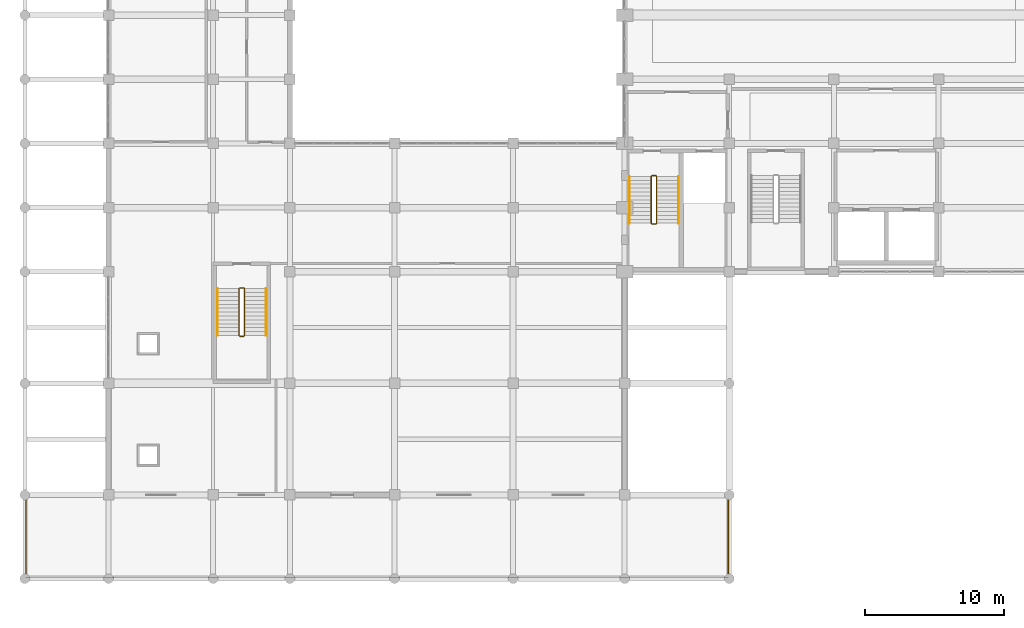
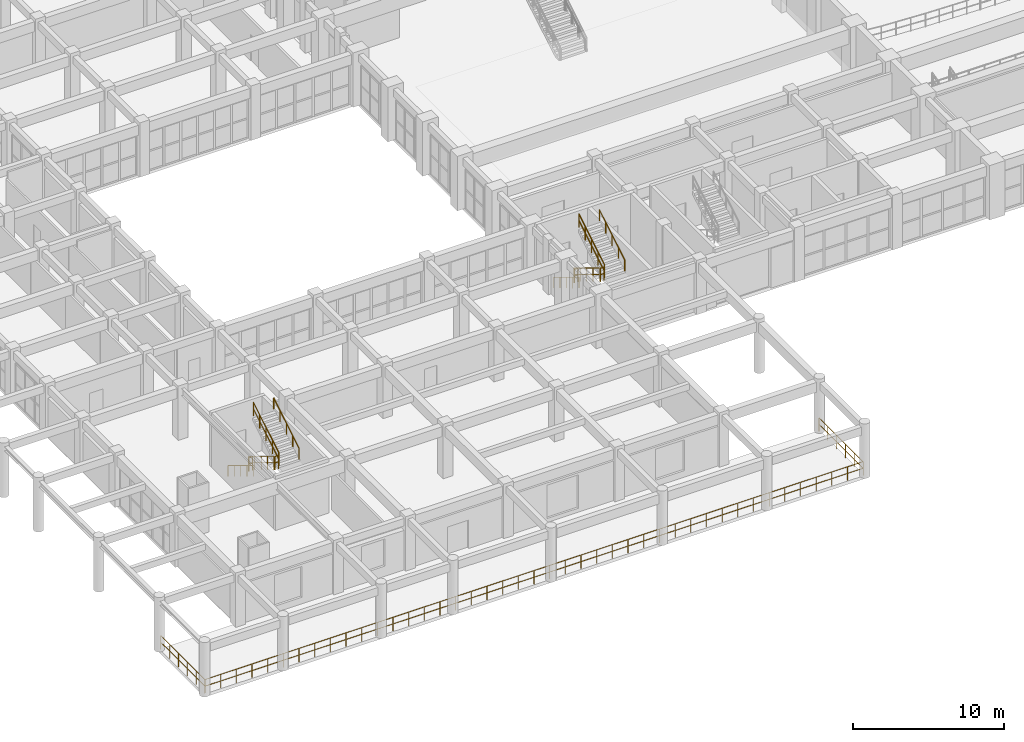
# One storey, part 106 of 116: 15 railings.
"""IFC4 building model written with IfcOpenShell, lengths in metres."""

from ifc_helpers import new_model, si_unit, direction, frame, origin, origin_2d, place, context, subcontext, project, spatial, circle, extrude, material, type_object, element, save


model = new_model("IFC4")

# Units and contexts
model_context = context("Model", 3, precision=1e-05, world=origin(), true_north=direction((0.0, 1.0)))
body_context = subcontext(model_context, "Body", "Model", "MODEL_VIEW")
ifc_project = project(units=[si_unit("LENGTHUNIT", "METRE"), si_unit("AREAUNIT", "SQUARE_METRE"), si_unit("VOLUMEUNIT", "CUBIC_METRE"), si_unit("PLANEANGLEUNIT", "RADIAN"), si_unit("MASSUNIT", "GRAM", prefix="KILO")], contexts=[model_context])

# Site, building, storey
site_placement = place(None, origin())
site = spatial("IfcSite", under=ifc_project, at=site_placement, CompositionType="ELEMENT")
building_placement = place(site_placement, origin())
building = spatial("IfcBuilding", under=site, at=building_placement, Name="Muzn Square Opera House", CompositionType="ELEMENT")
storey_placement = place(building_placement, frame((0.0, 0.0, 5.39990234375)))
storey = spatial("IfcBuildingStorey", under=building, at=storey_placement, Name="L01", CompositionType="ELEMENT", Elevation=5.39990234375)

# Railings
ifc_material_1 = material(Name="Architectural bronze mashrabiya", Category="metal")
railing_type_1 = type_object("IfcRailingType", Name="Bronze Protective Balustrade 1120mm", PredefinedType="BALUSTRADE", material=ifc_material_1)
railing_1_placement = place(storey_placement, frame((0.080078125, 0.080078125, 0.0)))
element("IfcRailing", 1, at=railing_1_placement, inside=storey, type_object=railing_type_1, Name="West Loggia Terrace Balustrade L01-0177", PredefinedType="BALUSTRADE", context=body_context, shape_type="SweptSolid", body=[
    extrude(circle(Radius=0.02392578125, at=origin_2d()), frame((0.0, 0.0, 1.09619140625), z_axis=(1.0, 0.0, 0.0), x_axis=(0.0, 1.0, 0.0)), (0.0, 0.0, 1.0), 50.33984375),
    extrude(circle(Radius=0.02392578125, at=origin_2d()), frame((0.0, 0.0, 0.56005859375), z_axis=(1.0, 0.0, 0.0), x_axis=(0.0, 1.0, 0.0)), (0.0, 0.0, 1.0), 50.33984375),
    extrude(circle(Radius=0.02099609375, at=origin_2d()), origin(), (0.0, 0.0, 1.0), 1.072021484375),
    extrude(circle(Radius=0.02099609375, at=origin_2d()), frame((1.198486328125, 0.0, 0.0)), (0.0, 0.0, 1.0), 1.072021484375),
    extrude(circle(Radius=0.02099609375, at=origin_2d()), frame((2.397216796875, 0.0, 0.0)), (0.0, 0.0, 1.0), 1.072021484375),
    extrude(circle(Radius=0.02099609375, at=origin_2d()), frame((3.595703125, 0.0, 0.0)), (0.0, 0.0, 1.0), 1.072021484375),
    extrude(circle(Radius=0.02099609375, at=origin_2d()), frame((4.794189453125, 0.0, 0.0)), (0.0, 0.0, 1.0), 1.072021484375),
    extrude(circle(Radius=0.02099609375, at=origin_2d()), frame((5.992919921875, 0.0, 0.0)), (0.0, 0.0, 1.0), 1.072021484375),
    extrude(circle(Radius=0.02099609375, at=origin_2d()), frame((7.19140625, 0.0, 0.0)), (0.0, 0.0, 1.0), 1.072021484375),
    extrude(circle(Radius=0.02099609375, at=origin_2d()), frame((8.389892578125, 0.0, 0.0)), (0.0, 0.0, 1.0), 1.072021484375),
    extrude(circle(Radius=0.02099609375, at=origin_2d()), frame((9.588623046875, 0.0, 0.0)), (0.0, 0.0, 1.0), 1.072021484375),
    extrude(circle(Radius=0.02099609375, at=origin_2d()), frame((10.787109375, 0.0, 0.0)), (0.0, 0.0, 1.0), 1.072021484375),
    extrude(circle(Radius=0.02099609375, at=origin_2d()), frame((11.985595703125, 0.0, 0.0)), (0.0, 0.0, 1.0), 1.072021484375),
    extrude(circle(Radius=0.02099609375, at=origin_2d()), frame((13.184326171875, 0.0, 0.0)), (0.0, 0.0, 1.0), 1.072021484375),
    extrude(circle(Radius=0.02099609375, at=origin_2d()), frame((14.3828125, 0.0, 0.0)), (0.0, 0.0, 1.0), 1.072021484375),
    extrude(circle(Radius=0.02099609375, at=origin_2d()), frame((15.581298828125, 0.0, 0.0)), (0.0, 0.0, 1.0), 1.072021484375),
    extrude(circle(Radius=0.02099609375, at=origin_2d()), frame((16.780029296875, 0.0, 0.0)), (0.0, 0.0, 1.0), 1.072021484375),
    extrude(circle(Radius=0.02099609375, at=origin_2d()), frame((17.978515625, 0.0, 0.0)), (0.0, 0.0, 1.0), 1.072021484375),
    extrude(circle(Radius=0.02099609375, at=origin_2d()), frame((19.177001953125, 0.0, 0.0)), (0.0, 0.0, 1.0), 1.072021484375),
    extrude(circle(Radius=0.02099609375, at=origin_2d()), frame((20.375732421875, 0.0, 0.0)), (0.0, 0.0, 1.0), 1.072021484375),
    extrude(circle(Radius=0.02099609375, at=origin_2d()), frame((21.57421875, 0.0, 0.0)), (0.0, 0.0, 1.0), 1.072021484375),
    extrude(circle(Radius=0.02099609375, at=origin_2d()), frame((22.772705078125, 0.0, 0.0)), (0.0, 0.0, 1.0), 1.072021484375),
    extrude(circle(Radius=0.02099609375, at=origin_2d()), frame((23.971435546875, 0.0, 0.0)), (0.0, 0.0, 1.0), 1.072021484375),
    extrude(circle(Radius=0.02099609375, at=origin_2d()), frame((25.169921875, 0.0, 0.0)), (0.0, 0.0, 1.0), 1.072021484375),
    extrude(circle(Radius=0.02099609375, at=origin_2d()), frame((26.368408203125, 0.0, 0.0)), (0.0, 0.0, 1.0), 1.072021484375),
    extrude(circle(Radius=0.02099609375, at=origin_2d()), frame((27.567138671875, 0.0, 0.0)), (0.0, 0.0, 1.0), 1.072021484375),
    extrude(circle(Radius=0.02099609375, at=origin_2d()), frame((28.765625, 0.0, 0.0)), (0.0, 0.0, 1.0), 1.072021484375),
    extrude(circle(Radius=0.02099609375, at=origin_2d()), frame((29.964111328125, 0.0, 0.0)), (0.0, 0.0, 1.0), 1.072021484375),
    extrude(circle(Radius=0.02099609375, at=origin_2d()), frame((31.162841796875, 0.0, 0.0)), (0.0, 0.0, 1.0), 1.072021484375),
    extrude(circle(Radius=0.02099609375, at=origin_2d()), frame((32.361328125, 0.0, 0.0)), (0.0, 0.0, 1.0), 1.072021484375),
    extrude(circle(Radius=0.02099609375, at=origin_2d()), frame((33.559814453125, 0.0, 0.0)), (0.0, 0.0, 1.0), 1.072021484375),
    extrude(circle(Radius=0.02099609375, at=origin_2d()), frame((34.758544921875, 0.0, 0.0)), (0.0, 0.0, 1.0), 1.072021484375),
    extrude(circle(Radius=0.02099609375, at=origin_2d()), frame((35.95703125, 0.0, 0.0)), (0.0, 0.0, 1.0), 1.072021484375),
    extrude(circle(Radius=0.02099609375, at=origin_2d()), frame((37.155517578125, 0.0, 0.0)), (0.0, 0.0, 1.0), 1.072021484375),
    extrude(circle(Radius=0.02099609375, at=origin_2d()), frame((38.354248046875, 0.0, 0.0)), (0.0, 0.0, 1.0), 1.072021484375),
    extrude(circle(Radius=0.02099609375, at=origin_2d()), frame((39.552734375, 0.0, 0.0)), (0.0, 0.0, 1.0), 1.072021484375),
    extrude(circle(Radius=0.02099609375, at=origin_2d()), frame((40.751220703125, 0.0, 0.0)), (0.0, 0.0, 1.0), 1.072021484375),
    extrude(circle(Radius=0.02099609375, at=origin_2d()), frame((41.949951171875, 0.0, 0.0)), (0.0, 0.0, 1.0), 1.072021484375),
    extrude(circle(Radius=0.02099609375, at=origin_2d()), frame((43.1484375, 0.0, 0.0)), (0.0, 0.0, 1.0), 1.072021484375),
    extrude(circle(Radius=0.02099609375, at=origin_2d()), frame((44.346923828125, 0.0, 0.0)), (0.0, 0.0, 1.0), 1.072021484375),
    extrude(circle(Radius=0.02099609375, at=origin_2d()), frame((45.545654296875, 0.0, 0.0)), (0.0, 0.0, 1.0), 1.072021484375),
    extrude(circle(Radius=0.02099609375, at=origin_2d()), frame((46.744140625, 0.0, 0.0)), (0.0, 0.0, 1.0), 1.072021484375),
    extrude(circle(Radius=0.02099609375, at=origin_2d()), frame((47.942626953125, 0.0, 0.0)), (0.0, 0.0, 1.0), 1.072021484375),
    extrude(circle(Radius=0.02099609375, at=origin_2d()), frame((49.141357421875, 0.0, 0.0)), (0.0, 0.0, 1.0), 1.072021484375),
    extrude(circle(Radius=0.02099609375, at=origin_2d()), frame((50.33984375, 0.0, 0.0)), (0.0, 0.0, 1.0), 1.072021484375),
])
railing_2_placement = place(storey_placement, frame((50.419921875, 0.080078125, 0.0)))
element("IfcRailing", 2, at=railing_2_placement, inside=storey, type_object=railing_type_1, Name="West Loggia Terrace Balustrade L01-0178", PredefinedType="BALUSTRADE", context=body_context, shape_type="SweptSolid", body=[
    extrude(circle(Radius=0.02392578125, at=origin_2d()), frame((0.0, 0.0, 1.09619140625), z_axis=(0.0, 1.0, 0.0), x_axis=(-1.0, 0.0, 0.0)), (0.0, 0.0, 1.0), 5.83984375),
    extrude(circle(Radius=0.02392578125, at=origin_2d()), frame((0.0, 0.0, 0.56005859375), z_axis=(0.0, 1.0, 0.0), x_axis=(-1.0, 0.0, 0.0)), (0.0, 0.0, 1.0), 5.83984375),
    extrude(circle(Radius=0.02099609375, at=origin_2d()), origin(), (0.0, 0.0, 1.0), 1.072021484375),
    extrude(circle(Radius=0.02099609375, at=origin_2d()), frame((0.0, 1.16796875, 0.0)), (0.0, 0.0, 1.0), 1.072021484375),
    extrude(circle(Radius=0.02099609375, at=origin_2d()), frame((0.0, 2.3359375, 0.0)), (0.0, 0.0, 1.0), 1.072021484375),
    extrude(circle(Radius=0.02099609375, at=origin_2d()), frame((0.0, 3.50390625, 0.0)), (0.0, 0.0, 1.0), 1.072021484375),
    extrude(circle(Radius=0.02099609375, at=origin_2d()), frame((0.0, 4.671875, 0.0)), (0.0, 0.0, 1.0), 1.072021484375),
    extrude(circle(Radius=0.02099609375, at=origin_2d()), frame((0.0, 5.83984375, 0.0)), (0.0, 0.0, 1.0), 1.072021484375),
])
railing_3_placement = place(storey_placement, frame((0.080078125, 5.919921875, 0.0)))
element("IfcRailing", 3, at=railing_3_placement, inside=storey, type_object=railing_type_1, Name="West Loggia Terrace Balustrade L01-0179", PredefinedType="BALUSTRADE", context=body_context, shape_type="SweptSolid", body=[
    extrude(circle(Radius=0.02392578125, at=origin_2d()), frame((0.0, 0.0, 1.09619140625), z_axis=(0.0, -1.0, 0.0), x_axis=(1.0, 0.0, 0.0)), (0.0, 0.0, 1.0), 5.83984375),
    extrude(circle(Radius=0.02392578125, at=origin_2d()), frame((0.0, 0.0, 0.56005859375), z_axis=(0.0, -1.0, 0.0), x_axis=(1.0, 0.0, 0.0)), (0.0, 0.0, 1.0), 5.83984375),
    extrude(circle(Radius=0.02099609375, at=origin_2d()), origin(), (0.0, 0.0, 1.0), 1.072021484375),
    extrude(circle(Radius=0.02099609375, at=origin_2d()), frame((0.0, -1.16796875, 0.0)), (0.0, 0.0, 1.0), 1.072021484375),
    extrude(circle(Radius=0.02099609375, at=origin_2d()), frame((0.0, -2.3359375, 0.0)), (0.0, 0.0, 1.0), 1.072021484375),
    extrude(circle(Radius=0.02099609375, at=origin_2d()), frame((0.0, -3.50390625, 0.0)), (0.0, 0.0, 1.0), 1.072021484375),
    extrude(circle(Radius=0.02099609375, at=origin_2d()), frame((0.0, -4.671875, 0.0)), (0.0, 0.0, 1.0), 1.072021484375),
    extrude(circle(Radius=0.02099609375, at=origin_2d()), frame((0.0, -5.83984375, 0.0)), (0.0, 0.0, 1.0), 1.072021484375),
])
ifc_material_2 = material(Name="Brushed stainless steel", Category="metal")
railing_type_2 = type_object("IfcRailingType", Name="Stair Guard Railing 1120mm", PredefinedType="GUARDRAIL", material=ifc_material_2)
railing_4_placement = place(storey_placement, frame((44.909912109375, 28.840087890625, 0.16943359375)))
element("IfcRailing", 4, at=railing_4_placement, inside=storey, type_object=railing_type_2, Name="L01 ST-3 stair guard 1", PredefinedType="GUARDRAIL", context=body_context, shape_type="SweptSolid", body=[
    extrude(circle(Radius=0.02392578125, at=origin_2d()), frame((0.0, 0.0, 1.076171875), z_axis=(0.0, -0.855836976705, 0.517245656632), x_axis=(1.0, 0.0, 0.0)), (0.0, 0.0, 1.0), 3.926025390625),
    extrude(circle(Radius=0.02392578125, at=origin_2d()), frame((0.0, 0.0, 0.550048828125), z_axis=(0.0, -0.855836976705, 0.517245656632), x_axis=(1.0, 0.0, 0.0)), (0.0, 0.0, 1.0), 3.926025390625),
    extrude(circle(Radius=0.02099609375, at=origin_2d()), origin(), (0.0, 0.0, 1.0), 1.052001953125),
    extrude(circle(Radius=0.02099609375, at=origin_2d()), frame((0.0, -0.840087890625, 0.5078125)), (0.0, 0.0, 1.0), 1.052001953125),
    extrude(circle(Radius=0.02099609375, at=origin_2d()), frame((0.0, -1.68017578125, 1.015380859375)), (0.0, 0.0, 1.0), 1.052001953125),
    extrude(circle(Radius=0.02099609375, at=origin_2d()), frame((0.0, -2.52001953125, 1.52294921875)), (0.0, 0.0, 1.0), 1.052001953125),
    extrude(circle(Radius=0.02099609375, at=origin_2d()), frame((0.0, -3.360107421875, 2.03076171875)), (0.0, 0.0, 1.0), 1.052001953125),
])
railing_5_placement = place(storey_placement, frame((44.9599609375, 25.429931640625, 2.2001953125)))
element("IfcRailing", 5, at=railing_5_placement, inside=storey, type_object=railing_type_2, Name="L01 ST-3 stair guard 2", PredefinedType="GUARDRAIL", context=body_context, shape_type="SweptSolid", body=[
    extrude(circle(Radius=0.02392578125, at=origin_2d()), frame((0.0, 0.0, 1.076171875), z_axis=(1.0, 0.0, 0.0), x_axis=(0.0, 1.0, 0.0)), (0.0, 0.0, 1.0), 0.280029296875),
    extrude(circle(Radius=0.02392578125, at=origin_2d()), frame((0.0, 0.0, 0.550048828125), z_axis=(1.0, 0.0, 0.0), x_axis=(0.0, 1.0, 0.0)), (0.0, 0.0, 1.0), 0.280029296875),
    extrude(circle(Radius=0.02099609375, at=origin_2d()), origin(), (0.0, 0.0, 1.0), 1.052001953125),
    extrude(circle(Radius=0.02099609375, at=origin_2d()), frame((0.280029296875, 0.0, 0.0)), (0.0, 0.0, 1.0), 1.052001953125),
])
railing_6_placement = place(storey_placement, frame((45.2900390625, 25.47998046875, 2.369384765625)))
element("IfcRailing", 6, at=railing_6_placement, inside=storey, type_object=railing_type_2, Name="L01 ST-3 stair guard 3", PredefinedType="GUARDRAIL", context=body_context, shape_type="SweptSolid", body=[
    extrude(circle(Radius=0.02392578125, at=origin_2d()), frame((0.0, 0.0, 1.076171875), z_axis=(0.0, 0.855836976705, 0.517245656632), x_axis=(-1.0, 0.0, 0.0)), (0.0, 0.0, 1.0), 3.926025390625),
    extrude(circle(Radius=0.02392578125, at=origin_2d()), frame((0.0, 0.0, 0.550048828125), z_axis=(0.0, 0.855836976705, 0.517245656632), x_axis=(-1.0, 0.0, 0.0)), (0.0, 0.0, 1.0), 3.926025390625),
    extrude(circle(Radius=0.02099609375, at=origin_2d()), origin(), (0.0, 0.0, 1.0), 1.052001953125),
    extrude(circle(Radius=0.02099609375, at=origin_2d()), frame((0.0, 0.840087890625, 0.5078125)), (0.0, 0.0, 1.0), 1.052001953125),
    extrude(circle(Radius=0.02099609375, at=origin_2d()), frame((0.0, 1.68017578125, 1.015380859375)), (0.0, 0.0, 1.0), 1.052001953125),
    extrude(circle(Radius=0.02099609375, at=origin_2d()), frame((0.0, 2.52001953125, 1.52294921875)), (0.0, 0.0, 1.0), 1.052001953125),
    extrude(circle(Radius=0.02099609375, at=origin_2d()), frame((0.0, 3.360107421875, 2.03076171875)), (0.0, 0.0, 1.0), 1.052001953125),
])
railing_7_placement = place(storey_placement, frame((44.9599609375, 28.889892578125, 0.0)))
element("IfcRailing", 7, at=railing_7_placement, inside=storey, type_object=railing_type_2, Name="L01 ST-3 stair guard 4", PredefinedType="GUARDRAIL", context=body_context, shape_type="SweptSolid", body=[
    extrude(circle(Radius=0.02392578125, at=origin_2d()), frame((0.0, 0.0, 1.076171875), z_axis=(1.0, 0.0, 0.0), x_axis=(0.0, 1.0, 0.0)), (0.0, 0.0, 1.0), 0.280029296875),
    extrude(circle(Radius=0.02392578125, at=origin_2d()), frame((0.0, 0.0, 0.550048828125), z_axis=(1.0, 0.0, 0.0), x_axis=(0.0, 1.0, 0.0)), (0.0, 0.0, 1.0), 0.280029296875),
    extrude(circle(Radius=0.02099609375, at=origin_2d()), origin(), (0.0, 0.0, 1.0), 1.052001953125),
    extrude(circle(Radius=0.02099609375, at=origin_2d()), frame((0.280029296875, 0.0, 0.0)), (0.0, 0.0, 1.0), 1.052001953125),
])
railing_8_placement = place(storey_placement, frame((15.360107421875, 20.7900390625, 0.16943359375)))
element("IfcRailing", 8, at=railing_8_placement, inside=storey, type_object=railing_type_2, Name="L01 ST-7 stair guard 1", PredefinedType="GUARDRAIL", context=body_context, shape_type="SweptSolid", body=[
    extrude(circle(Radius=0.02392578125, at=origin_2d()), frame((0.0, 0.0, 1.076171875), z_axis=(0.0, -0.855836976705, 0.517245656632), x_axis=(1.0, 0.0, 0.0)), (0.0, 0.0, 1.0), 3.926025390625),
    extrude(circle(Radius=0.02392578125, at=origin_2d()), frame((0.0, 0.0, 0.550048828125), z_axis=(0.0, -0.855836976705, 0.517245656632), x_axis=(1.0, 0.0, 0.0)), (0.0, 0.0, 1.0), 3.926025390625),
    extrude(circle(Radius=0.02099609375, at=origin_2d()), origin(), (0.0, 0.0, 1.0), 1.052001953125),
    extrude(circle(Radius=0.02099609375, at=origin_2d()), frame((0.0, -0.840087890625, 0.5078125)), (0.0, 0.0, 1.0), 1.052001953125),
    extrude(circle(Radius=0.02099609375, at=origin_2d()), frame((0.0, -1.68017578125, 1.015380859375)), (0.0, 0.0, 1.0), 1.052001953125),
    extrude(circle(Radius=0.02099609375, at=origin_2d()), frame((0.0, -2.52001953125, 1.52294921875)), (0.0, 0.0, 1.0), 1.052001953125),
    extrude(circle(Radius=0.02099609375, at=origin_2d()), frame((0.0, -3.360107421875, 2.03076171875)), (0.0, 0.0, 1.0), 1.052001953125),
])
railing_9_placement = place(storey_placement, frame((15.409912109375, 17.3798828125, 2.2001953125)))
element("IfcRailing", 9, at=railing_9_placement, inside=storey, type_object=railing_type_2, Name="L01 ST-7 stair guard 2", PredefinedType="GUARDRAIL", context=body_context, shape_type="SweptSolid", body=[
    extrude(circle(Radius=0.02392578125, at=origin_2d()), frame((0.0, 0.0, 1.076171875), z_axis=(1.0, 0.0, 0.0), x_axis=(0.0, 1.0, 0.0)), (0.0, 0.0, 1.0), 0.280029296875),
    extrude(circle(Radius=0.02392578125, at=origin_2d()), frame((0.0, 0.0, 0.550048828125), z_axis=(1.0, 0.0, 0.0), x_axis=(0.0, 1.0, 0.0)), (0.0, 0.0, 1.0), 0.280029296875),
    extrude(circle(Radius=0.02099609375, at=origin_2d()), origin(), (0.0, 0.0, 1.0), 1.052001953125),
    extrude(circle(Radius=0.02099609375, at=origin_2d()), frame((0.280029296875, 0.0, 0.0)), (0.0, 0.0, 1.0), 1.052001953125),
])
railing_10_placement = place(storey_placement, frame((15.739990234375, 17.429931640625, 2.369384765625)))
element("IfcRailing", 10, at=railing_10_placement, inside=storey, type_object=railing_type_2, Name="L01 ST-7 stair guard 3", PredefinedType="GUARDRAIL", context=body_context, shape_type="SweptSolid", body=[
    extrude(circle(Radius=0.02392578125, at=origin_2d()), frame((0.0, 0.0, 1.076171875), z_axis=(0.0, 0.855836976705, 0.517245656632), x_axis=(-1.0, 0.0, 0.0)), (0.0, 0.0, 1.0), 3.926025390625),
    extrude(circle(Radius=0.02392578125, at=origin_2d()), frame((0.0, 0.0, 0.550048828125), z_axis=(0.0, 0.855836976705, 0.517245656632), x_axis=(-1.0, 0.0, 0.0)), (0.0, 0.0, 1.0), 3.926025390625),
    extrude(circle(Radius=0.02099609375, at=origin_2d()), origin(), (0.0, 0.0, 1.0), 1.052001953125),
    extrude(circle(Radius=0.02099609375, at=origin_2d()), frame((0.0, 0.840087890625, 0.5078125)), (0.0, 0.0, 1.0), 1.052001953125),
    extrude(circle(Radius=0.02099609375, at=origin_2d()), frame((0.0, 1.68017578125, 1.015380859375)), (0.0, 0.0, 1.0), 1.052001953125),
    extrude(circle(Radius=0.02099609375, at=origin_2d()), frame((0.0, 2.52001953125, 1.52294921875)), (0.0, 0.0, 1.0), 1.052001953125),
    extrude(circle(Radius=0.02099609375, at=origin_2d()), frame((0.0, 3.360107421875, 2.03076171875)), (0.0, 0.0, 1.0), 1.052001953125),
])
railing_11_placement = place(storey_placement, frame((15.409912109375, 20.840087890625, 0.0)))
element("IfcRailing", 11, at=railing_11_placement, inside=storey, type_object=railing_type_2, Name="L01 ST-7 stair guard 4", PredefinedType="GUARDRAIL", context=body_context, shape_type="SweptSolid", body=[
    extrude(circle(Radius=0.02392578125, at=origin_2d()), frame((0.0, 0.0, 1.076171875), z_axis=(1.0, 0.0, 0.0), x_axis=(0.0, 1.0, 0.0)), (0.0, 0.0, 1.0), 0.280029296875),
    extrude(circle(Radius=0.02392578125, at=origin_2d()), frame((0.0, 0.0, 0.550048828125), z_axis=(1.0, 0.0, 0.0), x_axis=(0.0, 1.0, 0.0)), (0.0, 0.0, 1.0), 0.280029296875),
    extrude(circle(Radius=0.02099609375, at=origin_2d()), origin(), (0.0, 0.0, 1.0), 1.052001953125),
    extrude(circle(Radius=0.02099609375, at=origin_2d()), frame((0.280029296875, 0.0, 0.0)), (0.0, 0.0, 1.0), 1.052001953125),
])
railing_type_3 = type_object("IfcRailingType", Name="Stair Pitch Handrail 900mm", PredefinedType="HANDRAIL", material=ifc_material_2)
railing_12_placement = place(storey_placement, frame((43.35009765625, 28.840087890625, 0.16943359375)))
element("IfcRailing", 12, at=railing_12_placement, inside=storey, type_object=railing_type_3, Name="L01 ST-3 stair handrail 1", PredefinedType="HANDRAIL", context=body_context, shape_type="SweptSolid", body=[
    extrude(circle(Radius=0.02392578125, at=origin_2d()), frame((0.0, 0.0, 0.8759765625), z_axis=(0.0, -0.855836976705, 0.517245656632), x_axis=(1.0, 0.0, 0.0)), (0.0, 0.0, 1.0), 3.926025390625),
    extrude(circle(Radius=0.02099609375, at=origin_2d()), origin(), (0.0, 0.0, 1.0), 0.851806640625),
    extrude(circle(Radius=0.02099609375, at=origin_2d()), frame((0.0, -0.840087890625, 0.5078125)), (0.0, 0.0, 1.0), 0.851806640625),
    extrude(circle(Radius=0.02099609375, at=origin_2d()), frame((0.0, -1.68017578125, 1.015380859375)), (0.0, 0.0, 1.0), 0.851806640625),
    extrude(circle(Radius=0.02099609375, at=origin_2d()), frame((0.0, -2.52001953125, 1.52294921875)), (0.0, 0.0, 1.0), 0.851806640625),
    extrude(circle(Radius=0.02099609375, at=origin_2d()), frame((0.0, -3.360107421875, 2.03076171875)), (0.0, 0.0, 1.0), 0.851806640625),
])
railing_13_placement = place(storey_placement, frame((46.85009765625, 25.47998046875, 2.369384765625)))
element("IfcRailing", 13, at=railing_13_placement, inside=storey, type_object=railing_type_3, Name="L01 ST-3 stair handrail 2", PredefinedType="HANDRAIL", context=body_context, shape_type="SweptSolid", body=[
    extrude(circle(Radius=0.02392578125, at=origin_2d()), frame((0.0, 0.0, 0.8759765625), z_axis=(0.0, 0.855836976705, 0.517245656632), x_axis=(-1.0, 0.0, 0.0)), (0.0, 0.0, 1.0), 3.926025390625),
    extrude(circle(Radius=0.02099609375, at=origin_2d()), origin(), (0.0, 0.0, 1.0), 0.851806640625),
    extrude(circle(Radius=0.02099609375, at=origin_2d()), frame((0.0, 0.840087890625, 0.5078125)), (0.0, 0.0, 1.0), 0.851806640625),
    extrude(circle(Radius=0.02099609375, at=origin_2d()), frame((0.0, 1.68017578125, 1.015380859375)), (0.0, 0.0, 1.0), 0.851806640625),
    extrude(circle(Radius=0.02099609375, at=origin_2d()), frame((0.0, 2.52001953125, 1.52294921875)), (0.0, 0.0, 1.0), 0.851806640625),
    extrude(circle(Radius=0.02099609375, at=origin_2d()), frame((0.0, 3.360107421875, 2.03076171875)), (0.0, 0.0, 1.0), 0.851806640625),
])
railing_14_placement = place(storey_placement, frame((13.800048828125, 20.7900390625, 0.16943359375)))
element("IfcRailing", 14, at=railing_14_placement, inside=storey, type_object=railing_type_3, Name="L01 ST-7 stair handrail 1", PredefinedType="HANDRAIL", context=body_context, shape_type="SweptSolid", body=[
    extrude(circle(Radius=0.02392578125, at=origin_2d()), frame((0.0, 0.0, 0.8759765625), z_axis=(0.0, -0.855836976705, 0.517245656632), x_axis=(1.0, 0.0, 0.0)), (0.0, 0.0, 1.0), 3.926025390625),
    extrude(circle(Radius=0.02099609375, at=origin_2d()), origin(), (0.0, 0.0, 1.0), 0.851806640625),
    extrude(circle(Radius=0.02099609375, at=origin_2d()), frame((0.0, -0.840087890625, 0.5078125)), (0.0, 0.0, 1.0), 0.851806640625),
    extrude(circle(Radius=0.02099609375, at=origin_2d()), frame((0.0, -1.68017578125, 1.015380859375)), (0.0, 0.0, 1.0), 0.851806640625),
    extrude(circle(Radius=0.02099609375, at=origin_2d()), frame((0.0, -2.52001953125, 1.52294921875)), (0.0, 0.0, 1.0), 0.851806640625),
    extrude(circle(Radius=0.02099609375, at=origin_2d()), frame((0.0, -3.360107421875, 2.03076171875)), (0.0, 0.0, 1.0), 0.851806640625),
])
railing_15_placement = place(storey_placement, frame((17.300048828125, 17.429931640625, 2.369384765625)))
element("IfcRailing", 15, at=railing_15_placement, inside=storey, type_object=railing_type_3, Name="L01 ST-7 stair handrail 2", PredefinedType="HANDRAIL", context=body_context, shape_type="SweptSolid", body=[
    extrude(circle(Radius=0.02392578125, at=origin_2d()), frame((0.0, 0.0, 0.8759765625), z_axis=(0.0, 0.855836976705, 0.517245656632), x_axis=(-1.0, 0.0, 0.0)), (0.0, 0.0, 1.0), 3.926025390625),
    extrude(circle(Radius=0.02099609375, at=origin_2d()), origin(), (0.0, 0.0, 1.0), 0.851806640625),
    extrude(circle(Radius=0.02099609375, at=origin_2d()), frame((0.0, 0.840087890625, 0.5078125)), (0.0, 0.0, 1.0), 0.851806640625),
    extrude(circle(Radius=0.02099609375, at=origin_2d()), frame((0.0, 1.68017578125, 1.015380859375)), (0.0, 0.0, 1.0), 0.851806640625),
    extrude(circle(Radius=0.02099609375, at=origin_2d()), frame((0.0, 2.52001953125, 1.52294921875)), (0.0, 0.0, 1.0), 0.851806640625),
    extrude(circle(Radius=0.02099609375, at=origin_2d()), frame((0.0, 3.360107421875, 2.03076171875)), (0.0, 0.0, 1.0), 0.851806640625),
])

save(model, "model.ifc")
